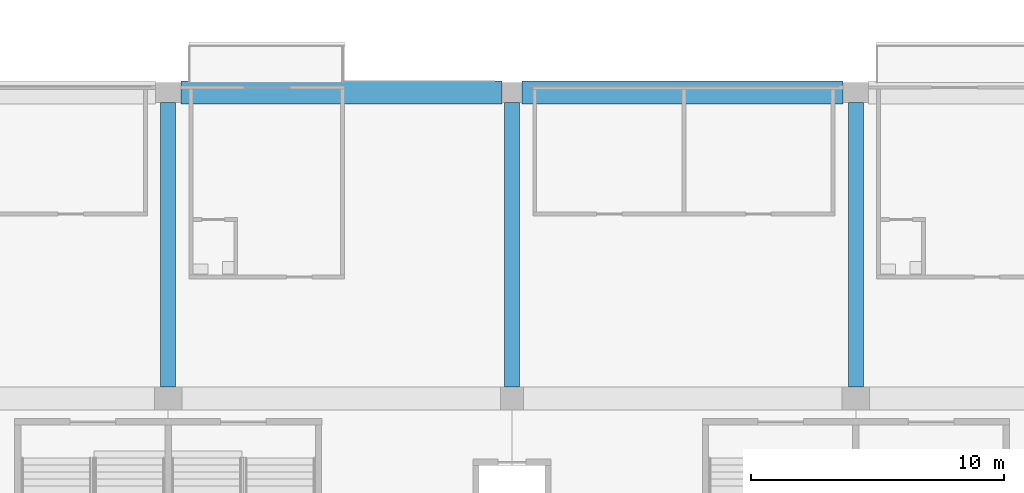
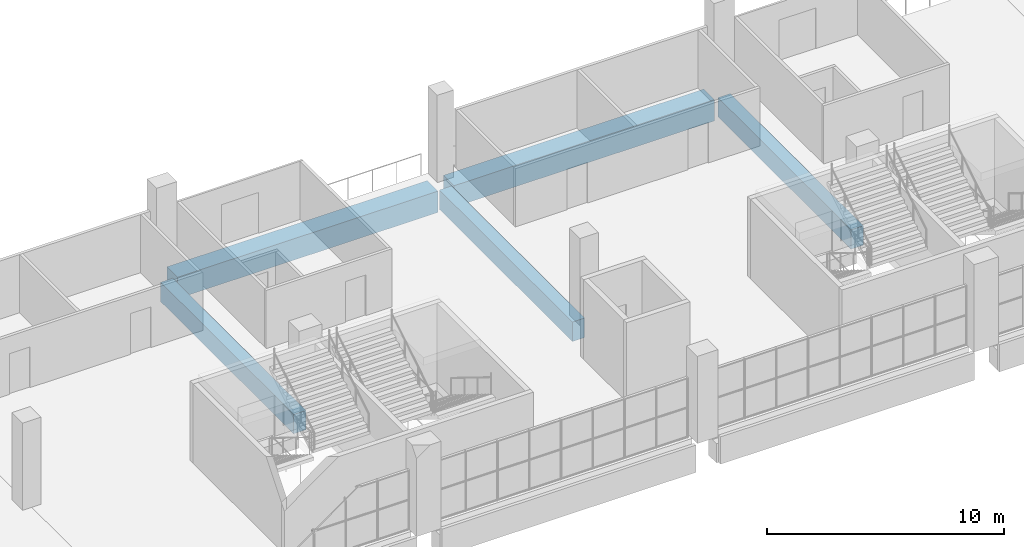
# One storey, part 13 of 199: 5 beams.
"""IFC4 building model written with IfcOpenShell, lengths in metres."""

from ifc_helpers import new_model, si_unit, direction, frame, origin, origin_2d, place, context, subcontext, project, spatial, rectangle, extrude, material, material_profile, profile_set, type_object, element, save


model = new_model("IFC4")

# Units and contexts
model_context = context("Model", 3, precision=1e-05, world=origin(), true_north=direction((0.0, 1.0)))
body_context = subcontext(model_context, "Body", "Model", "MODEL_VIEW")
ifc_project = project(units=[si_unit("LENGTHUNIT", "METRE"), si_unit("AREAUNIT", "SQUARE_METRE"), si_unit("VOLUMEUNIT", "CUBIC_METRE"), si_unit("PLANEANGLEUNIT", "RADIAN"), si_unit("MASSUNIT", "GRAM", prefix="KILO")], contexts=[model_context])

# Site, building, storey
site_placement = place(None, origin())
site = spatial("IfcSite", under=ifc_project, at=site_placement, CompositionType="ELEMENT")
building_placement = place(site_placement, origin())
building = spatial("IfcBuilding", under=site, at=building_placement, Name="Ogive Plaza Stadium", CompositionType="ELEMENT")
storey_placement = place(building_placement, frame((0.0, 0.0, 9.0)))
storey = spatial("IfcBuildingStorey", under=building, at=storey_placement, Name="L02", CompositionType="ELEMENT", Elevation=9.0)

# Beams
ifc_material_1 = material(Name="Concrete C40/50", Category="concrete")
ifc_material_profile_1 = material_profile(ifc_material_1, rectangle(XDim=0.60009765625, YDim=1.0, at=origin_2d()), Name="RC 600x1000")
ifc_profile_set_1 = profile_set([ifc_material_profile_1], Name="Concrete C40/50")
beam_type_1 = type_object("IfcBeamType", Name="RC radial beam 600x1000", PredefinedType="BEAM", material=ifc_profile_set_1)
for number, where, z_axis, x_axis, name in (
    (1, (6.800048828125, -80.800048828125, -0.909912109375), (0.0, -1.0, 0.0), (1.0, 0.0, 0.0), "Radial beam L02 R14 F3F4"),
    (2, (-6.800048828125, -80.800048828125, -0.909912109375), (0.0, -1.0, 0.0), (1.0, 0.0, 0.0), "Radial beam L02 R15 F3F4"),
    (3, (-20.39990234375, -80.800048828125, -0.909912109375), (0.0, -1.0, 0.0), (1.0, 0.0, 0.0), "Radial beam L02 R16 F3F4"),
):
    element("IfcBeam", number, at=place(storey_placement, frame(where, z_axis=z_axis, x_axis=x_axis)), inside=storey, type_object=beam_type_1, Name=name, PredefinedType="BEAM", context=body_context, shape_type="SweptSolid", body=[
        extrude(rectangle(XDim=0.60009765625, YDim=1.0, at=origin_2d()), origin(), (0.0, 0.0, 1.0), 11.25),
    ])
ifc_material_2 = material(Name="Concrete C40/50", Category="concrete")
ifc_material_profile_2 = material_profile(ifc_material_2, rectangle(XDim=0.89990234375, YDim=1.10009765625, at=origin_2d()), Name="RC 900x1100")
ifc_profile_set_2 = profile_set([ifc_material_profile_2], Name="Concrete C40/50")
beam_type_2 = type_object("IfcBeamType", Name="RC ring beam 900x1100", PredefinedType="BEAM", material=ifc_profile_set_2)
for number, where, z_axis, x_axis, name in (
    (4, (6.300048828125, -80.39990234375, -0.9599609375), (-1.0, 0.0, 0.0), (0.0, -1.0, 0.0), "Ring beam F3 L02 B14"),
    (5, (-7.199951171875, -80.39990234375, -0.9599609375), (-1.0, 0.0, 0.0), (0.0, -1.0, 0.0), "Ring beam F3 L02 B15"),
):
    element("IfcBeam", number, at=place(storey_placement, frame(where, z_axis=z_axis, x_axis=x_axis)), inside=storey, type_object=beam_type_2, Name=name, PredefinedType="BEAM", context=body_context, shape_type="SweptSolid", body=[
        extrude(rectangle(XDim=0.89990234375, YDim=1.10009765625, at=origin_2d()), origin(), (0.0, 0.0, 1.0), 12.699951171875),
    ])

save(model, "model.ifc")
